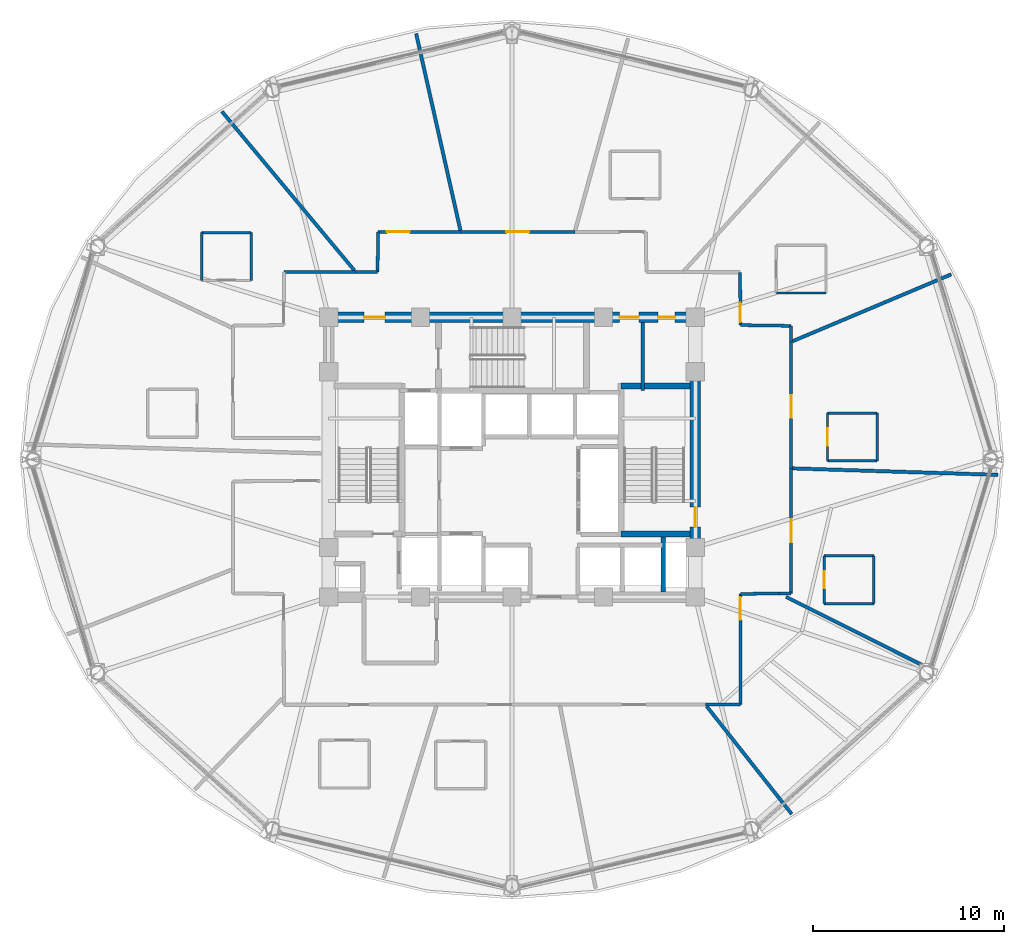
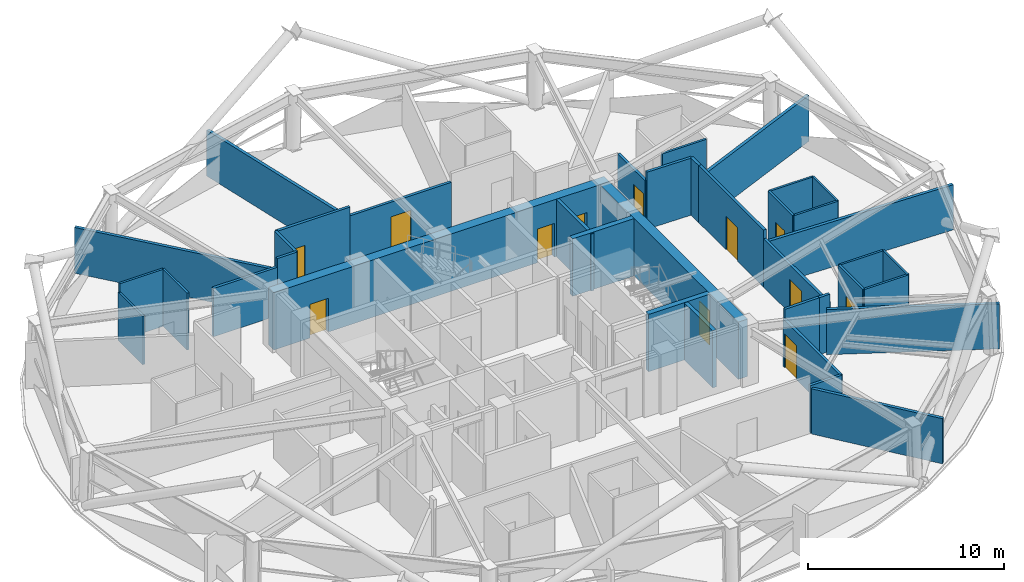
# One storey, part 10 of 15: 38 walls, 12 doors, 12 openings.
"""IFC4 building model written with IfcOpenShell, lengths in metres."""

from ifc_helpers import new_model, si_unit, direction, frame, frame_2d, origin, place, context, subcontext, project, spatial, rectangle, extrude, material, layer, layer_set, type_object, element, fill, save


model = new_model("IFC4")

# Units and contexts
model_context = context("Model", 3, precision=1e-05, world=origin(), true_north=direction((0.0, 1.0)))
body_context = subcontext(model_context, "Body", "Model", "MODEL_VIEW")
ifc_project = project(units=[si_unit("LENGTHUNIT", "METRE"), si_unit("AREAUNIT", "SQUARE_METRE"), si_unit("VOLUMEUNIT", "CUBIC_METRE"), si_unit("PLANEANGLEUNIT", "RADIAN"), si_unit("MASSUNIT", "GRAM", prefix="KILO")], contexts=[model_context])

# Site, building, storey
site_placement = place(None, origin())
site = spatial("IfcSite", under=ifc_project, at=site_placement, CompositionType="ELEMENT")
building_placement = place(site_placement, origin())
building = spatial("IfcBuilding", under=site, at=building_placement, Name="Vantalir Tower", CompositionType="ELEMENT")
storey_placement = place(building_placement, frame((0.0, 0.0, 134.699951171875)))
storey = spatial("IfcBuildingStorey", under=building, at=storey_placement, Name="L33", CompositionType="ELEMENT", Elevation=134.699951171875)

# Walls
ifc_material_1 = material(Name="Moisture-resistant en-suite partition", Category="gypsum")
ifc_layer_1 = layer(ifc_material_1, 0.125)
ifc_layer_set_1 = layer_set([ifc_layer_1], Name="Moisture-resistant en-suite partition")
wall_type_1 = type_object("IfcWallType", Name="WL-BATH-125", PredefinedType="PARTITIONING", material=ifc_layer_set_1)
wall_1_placement = place(storey_placement, frame((45.347900390625, 33.718994140625, 0.0), z_axis=(0.0, 0.0, 1.0), x_axis=(1.0, 0.0, 0.0)))
element("IfcWall", 1, at=wall_1_placement, inside=storey, type_object=wall_type_1, Name="L33 En-suite 01 South Wall", PredefinedType="PARTITIONING", context=body_context, shape_type="SweptSolid", body=[
    extrude(rectangle(XDim=2.60009765625, YDim=0.125, at=frame_2d((1.300048828125, 0.0))), origin(), (0.0, 0.0, 1.0), 3.006103515625),
])
wall_2_placement = place(storey_placement, frame((15.242919921875, 36.87890625, 0.0), z_axis=(0.0, 0.0, 1.0), x_axis=(1.0, 0.0, 0.0)))
element("IfcWall", 2, at=wall_2_placement, inside=storey, type_object=wall_type_1, Name="L33 En-suite 05 North Wall", PredefinedType="PARTITIONING", context=body_context, shape_type="SweptSolid", body=[
    extrude(rectangle(XDim=2.60009765625, YDim=0.125, at=frame_2d((1.300048828125, 0.0))), origin(), (0.0, 0.0, 1.0), 3.550048828125),
])
wall_3_placement = place(storey_placement, frame((15.242919921875, 34.37890625, 0.0), z_axis=(0.0, 0.0, 1.0), x_axis=(0.0, 1.0, 0.0)))
element("IfcWall", 3, at=wall_3_placement, inside=storey, type_object=wall_type_1, Name="L33 En-suite 05 West Wall", PredefinedType="PARTITIONING", context=body_context, shape_type="SweptSolid", body=[
    extrude(rectangle(XDim=2.5, YDim=0.125, at=frame_2d((1.25, 0.0))), origin(), (0.0, 0.0, 1.0), 3.006103515625),
])
wall_4_placement = place(storey_placement, frame((17.843017578125, 34.37890625, 0.0), z_axis=(0.0, 0.0, 1.0), x_axis=(0.0, 1.0, 0.0)))
element("IfcWall", 4, at=wall_4_placement, inside=storey, type_object=wall_type_1, Name="L33 En-suite 05 East Wall", PredefinedType="PARTITIONING", context=body_context, shape_type="SweptSolid", body=[
    extrude(rectangle(XDim=2.5, YDim=0.125, at=frame_2d((1.25, 0.0))), origin(), (0.0, 0.0, 1.0), 3.550048828125),
])
for number, where, z_axis, x_axis, name in (
    (5, (47.84912109375, 17.455078125, 0.0), (0.0, 0.0, 1.0), (1.0, 0.0, 0.0), "L33 En-suite 13 South Wall"),
    (6, (47.84912109375, 19.955078125, 0.0), (0.0, 0.0, 1.0), (1.0, 0.0, 0.0), "L33 En-suite 13 North Wall"),
):
    element("IfcWall", number, at=place(storey_placement, frame(where, z_axis=z_axis, x_axis=x_axis)), inside=storey, type_object=wall_type_1, Name=name, PredefinedType="PARTITIONING", context=body_context, shape_type="SweptSolid", body=[
        extrude(rectangle(XDim=2.599853515625, YDim=0.125, at=frame_2d((1.2998046875, 0.0))), origin(), (0.0, 0.0, 1.0), 3.550048828125),
    ])

# Wall, opening, door
wall_5_placement = place(storey_placement, frame((47.84912109375, 17.455078125, 0.0), z_axis=(0.0, 0.0, 1.0), x_axis=(0.0, 1.0, 0.0)))
wall_5 = element("IfcWall", 7, at=wall_5_placement, inside=storey, type_object=wall_type_1, Name="L33 En-suite 13 West Wall", PredefinedType="PARTITIONING", context=body_context, shape_type="SweptSolid", body=[
    extrude(rectangle(XDim=2.5, YDim=0.125, at=frame_2d((1.25, 0.0))), origin(), (0.0, 0.0, 1.0), 3.550048828125),
])
opening_1_placement = place(wall_5_placement, frame((0.800048828125, 0.0, 0.0)))
opening_1 = element("IfcOpeningElement", 8, at=opening_1_placement, cuts=wall_5, Name="Opening D-WC", PredefinedType="OPENING", context=body_context, shape_type="SweptSolid", body=[
    extrude(rectangle(XDim=0.89990234375, YDim=2.10009765625, at=frame_2d((0.449951171875, 1.050048828125))), frame((0.0, 0.072509765625, 0.0), z_axis=(0.0, -1.0, 0.0), x_axis=(1.0, 0.0, 0.0)), (0.0, 0.0, 1.0), 0.14501953125),
])
ifc_material_2 = material(Name="Moisture-resistant hardwood door", Category="wood")
door_type_1 = type_object("IfcDoorType", Name="DR-ENSUITE-900", OperationType="NOTDEFINED", PredefinedType="DOOR", material=ifc_material_2)
door_1_placement = place(opening_1_placement, frame((0.89990234375, 0.0, 0.0), z_axis=(0.0, 0.0, 1.0), x_axis=(-1.0, 0.0, 0.0)))
door_1 = element("IfcDoor", 9, at=door_1_placement, inside=storey, type_object=door_type_1, Name="L33 En-suite 13 Door", OperationType="SINGLE_SWING_LEFT", OverallHeight=2.10009765625, OverallWidth=0.89990234375, PredefinedType="DOOR", context=body_context, shape_type="SweptSolid", body=[
    extrude(rectangle(XDim=0.89990234375, YDim=2.10009765625, at=frame_2d((0.449951171875, 1.050048828125))), frame((0.0, 0.02490234375, 0.0), z_axis=(0.0, -1.0, 0.0), x_axis=(1.0, 0.0, 0.0)), (0.0, 0.0, 1.0), 0.050048828125),
])
fill(opening_1, door_1)

# Walls
wall_6_placement = place(storey_placement, frame((50.448974609375, 17.455078125, 0.0), z_axis=(0.0, 0.0, 1.0), x_axis=(0.0, 1.0, 0.0)))
element("IfcWall", 10, at=wall_6_placement, inside=storey, type_object=wall_type_1, Name="L33 En-suite 13 East Wall", PredefinedType="PARTITIONING", context=body_context, shape_type="SweptSolid", body=[
    extrude(rectangle(XDim=2.5, YDim=0.125, at=frame_2d((1.25, 0.0))), origin(), (0.0, 0.0, 1.0), 3.550048828125),
])
for number, where, z_axis, x_axis, name in (
    (11, (48.02392578125, 24.927978515625, 0.0), (0.0, 0.0, 1.0), (1.0, 0.0, 0.0), "L33 En-suite 14 South Wall"),
    (12, (48.02392578125, 27.427978515625, 0.0), (0.0, 0.0, 1.0), (1.0, 0.0, 0.0), "L33 En-suite 14 North Wall"),
):
    element("IfcWall", number, at=place(storey_placement, frame(where, z_axis=z_axis, x_axis=x_axis)), inside=storey, type_object=wall_type_1, Name=name, PredefinedType="PARTITIONING", context=body_context, shape_type="SweptSolid", body=[
        extrude(rectangle(XDim=2.60009765625, YDim=0.125, at=frame_2d((1.300048828125, 0.0))), origin(), (0.0, 0.0, 1.0), 3.550048828125),
    ])

# Wall, opening, door
wall_7_placement = place(storey_placement, frame((48.02392578125, 24.927978515625, 0.0), z_axis=(0.0, 0.0, 1.0), x_axis=(0.0, 1.0, 0.0)))
wall_7 = element("IfcWall", 13, at=wall_7_placement, inside=storey, type_object=wall_type_1, Name="L33 En-suite 14 West Wall", PredefinedType="PARTITIONING", context=body_context, shape_type="SweptSolid", body=[
    extrude(rectangle(XDim=2.5, YDim=0.125, at=frame_2d((1.25, 0.0))), origin(), (0.0, 0.0, 1.0), 3.550048828125),
])
opening_2_placement = place(wall_7_placement, frame((0.800048828125, 0.0, 0.0)))
opening_2 = element("IfcOpeningElement", 14, at=opening_2_placement, cuts=wall_7, Name="Opening D-WC", PredefinedType="OPENING", context=body_context, shape_type="SweptSolid", body=[
    extrude(rectangle(XDim=0.89990234375, YDim=2.10009765625, at=frame_2d((0.449951171875, 1.050048828125))), frame((0.0, 0.072509765625, 0.0), z_axis=(0.0, -1.0, 0.0), x_axis=(1.0, 0.0, 0.0)), (0.0, 0.0, 1.0), 0.14501953125),
])
door_2_placement = place(opening_2_placement, frame((0.89990234375, 0.0, 0.0), z_axis=(0.0, 0.0, 1.0), x_axis=(-1.0, 0.0, 0.0)))
door_2 = element("IfcDoor", 15, at=door_2_placement, inside=storey, type_object=door_type_1, Name="L33 En-suite 14 Door", OperationType="SINGLE_SWING_RIGHT", OverallHeight=2.10009765625, OverallWidth=0.89990234375, PredefinedType="DOOR", context=body_context, shape_type="SweptSolid", body=[
    extrude(rectangle(XDim=0.89990234375, YDim=2.10009765625, at=frame_2d((0.449951171875, 1.050048828125))), frame((0.0, 0.02490234375, 0.0), z_axis=(0.0, -1.0, 0.0), x_axis=(1.0, 0.0, 0.0)), (0.0, 0.0, 1.0), 0.050048828125),
])
fill(opening_2, door_2)

# Wall
wall_8_placement = place(storey_placement, frame((50.6240234375, 24.927978515625, 0.0), z_axis=(0.0, 0.0, 1.0), x_axis=(0.0, 1.0, 0.0)))
element("IfcWall", 16, at=wall_8_placement, inside=storey, type_object=wall_type_1, Name="L33 En-suite 14 East Wall", PredefinedType="PARTITIONING", context=body_context, shape_type="SweptSolid", body=[
    extrude(rectangle(XDim=2.5, YDim=0.125, at=frame_2d((1.25, 0.0))), origin(), (0.0, 0.0, 1.0), 3.550048828125),
])

# Wall, openings, doors
ifc_material_3 = material(Name="Concrete C60/75", Category="concrete")
ifc_layer_2 = layer(ifc_material_3, 0.550048828125)
ifc_layer_set_2 = layer_set([ifc_layer_2], Name="Concrete C60/75")
wall_type_2 = type_object("IfcWallType", Name="WL-CORE-550", PredefinedType="SHEAR", material=ifc_layer_set_2)
wall_9_placement = place(storey_placement, frame((21.625, 32.449951171875, 0.0), z_axis=(0.0, 0.0, 1.0), x_axis=(1.0, 0.0, 0.0)))
wall_9 = element("IfcWall", 17, at=wall_9_placement, inside=storey, type_object=wall_type_2, Name="L33 Core Shear Wall North", PredefinedType="SHEAR", context=body_context, shape_type="SweptSolid", body=[
    extrude(rectangle(XDim=19.75, YDim=0.550048828125, at=frame_2d((9.875, 0.0))), origin(), (0.0, 0.0, 1.0), 3.570068359375),
])
opening_3_placement = place(wall_9_placement, frame((2.125, 0.0, 0.0)))
opening_3 = element("IfcOpeningElement", 18, at=opening_3_placement, cuts=wall_9, Name="Opening D-FFL", PredefinedType="OPENING", context=body_context, shape_type="SweptSolid", body=[
    extrude(rectangle(XDim=1.10009765625, YDim=2.10009765625, at=frame_2d((0.550048828125, 1.050048828125))), frame((0.0, 0.284912109375, 0.0), z_axis=(0.0, -1.0, 0.0), x_axis=(1.0, 0.0, 0.0)), (0.0, 0.0, 1.0), 0.570068359375),
])
opening_4_placement = place(wall_9_placement, frame((15.514892578125, 0.0, 0.0)))
opening_4 = element("IfcOpeningElement", 19, at=opening_4_placement, cuts=wall_9, Name="Opening D-GUEST", PredefinedType="OPENING", context=body_context, shape_type="SweptSolid", body=[
    extrude(rectangle(XDim=1.0, YDim=2.10009765625, at=frame_2d((0.5, 1.050048828125))), frame((0.0, 0.284912109375, 0.0), z_axis=(0.0, -1.0, 0.0), x_axis=(1.0, 0.0, 0.0)), (0.0, 0.0, 1.0), 0.570068359375),
])
opening_5_placement = place(wall_9_placement, frame((17.52490234375, 0.0, 0.0)))
opening_5 = element("IfcOpeningElement", 20, at=opening_5_placement, cuts=wall_9, Name="Opening D-CR", PredefinedType="OPENING", context=body_context, shape_type="SweptSolid", body=[
    extrude(rectangle(XDim=0.89990234375, YDim=2.10009765625, at=frame_2d((0.449951171875, 1.050048828125))), frame((0.0, 0.284912109375, 0.0), z_axis=(0.0, -1.0, 0.0), x_axis=(1.0, 0.0, 0.0)), (0.0, 0.0, 1.0), 0.570068359375),
])
ifc_material_4 = material(Name="Fire-rated steel core service door", Category="steel")
door_type_2 = type_object("IfcDoorType", Name="DR-CORE-SERV-900", OperationType="NOTDEFINED", PredefinedType="DOOR", material=ifc_material_4)
door_3_placement = place(opening_5_placement, frame((0.89990234375, 0.0, 0.0), z_axis=(0.0, 0.0, 1.0), x_axis=(-1.0, 0.0, 0.0)))
door_3 = element("IfcDoor", 21, at=door_3_placement, inside=storey, type_object=door_type_2, Name="L33 Housekeeping and Linen Room Door", OperationType="SINGLE_SWING_RIGHT", OverallHeight=2.10009765625, OverallWidth=0.89990234375, PredefinedType="DOOR", context=body_context, shape_type="SweptSolid", body=[
    extrude(rectangle(XDim=0.89990234375, YDim=2.10009765625, at=frame_2d((0.449951171875, 1.050048828125))), frame((0.0, 0.02490234375, 0.0), z_axis=(0.0, -1.0, 0.0), x_axis=(1.0, 0.0, 0.0)), (0.0, 0.0, 1.0), 0.050048828125),
])
fill(opening_5, door_3)
ifc_material_5 = material(Name="Fire-rated acoustic steel door", Category="steel")
door_type_3 = type_object("IfcDoorType", Name="DR-FIRE-LOBBY-1100", OperationType="NOTDEFINED", PredefinedType="DOOR", material=ifc_material_5)
door_4_placement = place(opening_3_placement, frame((1.10009765625, 0.0, 0.0), z_axis=(0.0, 0.0, 1.0), x_axis=(-1.0, 0.0, 0.0)))
door_4 = element("IfcDoor", 22, at=door_4_placement, inside=storey, type_object=door_type_3, Name="L33 Firefighting Lobby East Access Door", OperationType="SINGLE_SWING_LEFT", OverallHeight=2.10009765625, OverallWidth=1.10009765625, PredefinedType="DOOR", context=body_context, shape_type="SweptSolid", body=[
    extrude(rectangle(XDim=1.10009765625, YDim=2.10009765625, at=frame_2d((0.550048828125, 1.050048828125))), frame((0.0, 0.02490234375, 0.0), z_axis=(0.0, -1.0, 0.0), x_axis=(1.0, 0.0, 0.0)), (0.0, 0.0, 1.0), 0.050048828125),
])
fill(opening_3, door_4)
ifc_material_6 = material(Name="Solid-core teak veneer acoustic fire door", Category="wood")
door_type_4 = type_object("IfcDoorType", Name="DR-GUEST-ENTRY-1000", OperationType="NOTDEFINED", PredefinedType="DOOR", material=ifc_material_6)
door_5_placement = place(opening_4_placement, frame((1.0, 0.0, 0.0), z_axis=(0.0, 0.0, 1.0), x_axis=(-1.0, 0.0, 0.0)))
door_5 = element("IfcDoor", 23, at=door_5_placement, inside=storey, type_object=door_type_4, Name="L33 High-Rise Lift Lobby Door", OperationType="SINGLE_SWING_LEFT", OverallHeight=2.10009765625, OverallWidth=1.0, PredefinedType="DOOR", context=body_context, shape_type="SweptSolid", body=[
    extrude(rectangle(XDim=1.0, YDim=2.10009765625, at=frame_2d((0.5, 1.050048828125))), frame((0.0, 0.02490234375, 0.0), z_axis=(0.0, -1.0, 0.0), x_axis=(1.0, 0.0, 0.0)), (0.0, 0.0, 1.0), 0.050048828125),
])
fill(opening_4, door_5)

# Wall, opening, door
wall_10_placement = place(storey_placement, frame((41.10009765625, 18.074951171875, 0.0), z_axis=(0.0, 0.0, 1.0), x_axis=(0.0, 1.0, 0.0)))
wall_10 = element("IfcWall", 24, at=wall_10_placement, inside=storey, type_object=wall_type_2, Name="L33 Core Shear Wall East", PredefinedType="SHEAR", context=body_context, shape_type="SweptSolid", body=[
    extrude(rectangle(XDim=14.10009765625, YDim=0.550048828125, at=frame_2d((7.050048828125, 0.0))), origin(), (0.0, 0.0, 1.0), 3.570068359375),
])
opening_6_placement = place(wall_10_placement, frame((3.385009765625, 0.0, 0.0)))
opening_6 = element("IfcOpeningElement", 25, at=opening_6_placement, cuts=wall_10, Name="Opening D-ST", PredefinedType="OPENING", context=body_context, shape_type="SweptSolid", body=[
    extrude(rectangle(XDim=1.050048828125, YDim=2.10009765625, at=frame_2d((0.52490234375, 1.050048828125))), frame((0.0, 0.284912109375, 0.0), z_axis=(0.0, -1.0, 0.0), x_axis=(1.0, 0.0, 0.0)), (0.0, 0.0, 1.0), 0.570068359375),
])
ifc_material_7 = material(Name="Fire-rated steel door leaf", Category="steel")
door_type_5 = type_object("IfcDoorType", Name="DR-FIRE-STAIR-1050", OperationType="NOTDEFINED", PredefinedType="DOOR", material=ifc_material_7)
door_6_placement = place(opening_6_placement, origin())
door_6 = element("IfcDoor", 26, at=door_6_placement, inside=storey, type_object=door_type_5, Name="L33 Exit Stair ST2 Fire Door", OperationType="SINGLE_SWING_LEFT", OverallHeight=2.10009765625, OverallWidth=1.050048828125, PredefinedType="DOOR", context=body_context, shape_type="SweptSolid", body=[
    extrude(rectangle(XDim=1.050048828125, YDim=2.10009765625, at=frame_2d((0.52490234375, 1.050048828125))), frame((0.0, 0.02490234375, 0.0), z_axis=(0.0, -1.0, 0.0), x_axis=(1.0, 0.0, 0.0)), (0.0, 0.0, 1.0), 0.050048828125),
])
fill(opening_6, door_6)

# Walls
ifc_material_8 = material(Name="Fire-rated hotel corridor acoustic partition", Category="gypsum")
ifc_layer_3 = layer(ifc_material_8, 0.159912109375)
ifc_layer_set_3 = layer_set([ifc_layer_3], Name="Fire-rated hotel corridor acoustic partition")
wall_type_3 = type_object("IfcWallType", Name="WL-CORR-160", PredefinedType="PARTITIONING", material=ifc_layer_set_3)
wall_11_placement = place(storey_placement, frame((19.56005859375, 34.81201171875, 0.0), z_axis=(0.0, 0.0, 1.0), x_axis=(0.999999865088, 0.000519446719, 0.0)))
element("IfcWall", 27, at=wall_11_placement, inside=storey, type_object=wall_type_3, Name="L33 Corridor Partition 05", PredefinedType="PARTITIONING", context=body_context, shape_type="SweptSolid", body=[
    extrude(rectangle(XDim=3.760009765625, YDim=0.159912109375, at=frame_2d((1.8798828125, 0.0))), origin(), (0.0, 0.0, 1.0), 3.006103515625),
])
wall_12_placement = place(storey_placement, frame((23.320068359375, 34.81396484375, 0.0), z_axis=(0.0, 0.0, 1.0), x_axis=(0.99999963302, 0.000856714185, 0.0)))
element("IfcWall", 28, at=wall_12_placement, inside=storey, type_object=wall_type_3, Name="L33 Corridor Partition 06", PredefinedType="PARTITIONING", context=body_context, shape_type="SweptSolid", body=[
    extrude(rectangle(XDim=1.139892578125, YDim=0.159912109375, at=frame_2d((0.56982421875, 0.0))), origin(), (0.0, 0.0, 1.0), 3.550048828125),
])
wall_13_placement = place(storey_placement, frame((24.4599609375, 34.81494140625, 0.0), z_axis=(0.0, 0.0, 1.0), x_axis=(0.011921828921, 0.999928932472, 0.0)))
element("IfcWall", 29, at=wall_13_placement, inside=storey, type_object=wall_type_3, Name="L33 Corridor Partition 07", PredefinedType="PARTITIONING", context=body_context, shape_type="SweptSolid", body=[
    extrude(rectangle(XDim=2.109375, YDim=0.159912109375, at=frame_2d((1.0546875, 0.0))), origin(), (0.0, 0.0, 1.0), 3.550048828125),
])

# Wall, opening, door
wall_14_placement = place(storey_placement, frame((24.485107421875, 36.924072265625, 0.0), z_axis=(0.0, 0.0, 1.0), x_axis=(0.999999974588, 0.000225441013, 0.0)))
wall_14 = element("IfcWall", 30, at=wall_14_placement, inside=storey, type_object=wall_type_3, Name="L33 Corridor Partition 08", PredefinedType="PARTITIONING", context=body_context, shape_type="SweptSolid", body=[
    extrude(rectangle(XDim=4.331787109375, YDim=0.159912109375, at=frame_2d((2.166015625, 0.0))), origin(), (0.0, 0.0, 1.0), 3.550048828125),
])
opening_7_placement = place(wall_14_placement, frame((0.4560546875, 0.0, 0.0)))
opening_7 = element("IfcOpeningElement", 31, at=opening_7_placement, cuts=wall_14, Name="Opening D-STE", PredefinedType="OPENING", context=body_context, shape_type="SweptSolid", body=[
    extrude(rectangle(XDim=1.199951171875, YDim=2.10009765625, at=frame_2d((0.60009765625, 1.050048828125))), frame((0.0, 0.08984375, 0.0), z_axis=(0.0, -1.0, 0.0), x_axis=(1.0, 0.0, 0.0)), (0.0, 0.0, 1.0), 0.179931640625),
])
ifc_material_9 = material(Name="Solid-core teak veneer suite entrance door", Category="wood")
door_type_6 = type_object("IfcDoorType", Name="DR-SUITE-ENTRY-1200", OperationType="NOTDEFINED", PredefinedType="DOOR", material=ifc_material_9)
door_7_placement = place(opening_7_placement, origin())
door_7 = element("IfcDoor", 32, at=door_7_placement, inside=storey, type_object=door_type_6, Name="L33 Executive Sky Boardroom 04 Door", OperationType="SINGLE_SWING_LEFT", OverallHeight=2.10009765625, OverallWidth=1.199951171875, PredefinedType="DOOR", context=body_context, shape_type="SweptSolid", body=[
    extrude(rectangle(XDim=1.199951171875, YDim=2.10009765625, at=frame_2d((0.60009765625, 1.050048828125))), frame((0.0, 0.02490234375, 0.0), z_axis=(0.0, -1.0, 0.0), x_axis=(1.0, 0.0, 0.0)), (0.0, 0.0, 1.0), 0.050048828125),
])
fill(opening_7, door_7)

wall_15_placement = place(storey_placement, frame((28.81689453125, 36.925048828125, 0.0), z_axis=(0.0, 0.0, 1.0), x_axis=(0.999999946523, 0.000327037837, 0.0)))
wall_15 = element("IfcWall", 33, at=wall_15_placement, inside=storey, type_object=wall_type_3, Name="L33 Corridor Partition 09", PredefinedType="PARTITIONING", context=body_context, shape_type="SweptSolid", body=[
    extrude(rectangle(XDim=5.97216796875, YDim=0.159912109375, at=frame_2d((2.986083984375, 0.0))), origin(), (0.0, 0.0, 1.0), 3.006103515625),
])
opening_8_placement = place(wall_15_placement, frame((2.385986328125, 0.0, 0.0)))
opening_8 = element("IfcOpeningElement", 34, at=opening_8_placement, cuts=wall_15, Name="Opening D-STE", PredefinedType="OPENING", context=body_context, shape_type="SweptSolid", body=[
    extrude(rectangle(XDim=1.199951171875, YDim=2.10009765625, at=frame_2d((0.60009765625, 1.050048828125))), frame((0.0, 0.08984375, 0.0), z_axis=(0.0, -1.0, 0.0), x_axis=(1.0, 0.0, 0.0)), (0.0, 0.0, 1.0), 0.179931640625),
])
door_8_placement = place(opening_8_placement, origin())
door_8 = element("IfcDoor", 35, at=door_8_placement, inside=storey, type_object=door_type_6, Name="L33 Executive Sky Boardroom 03 Door", OperationType="SINGLE_SWING_RIGHT", OverallHeight=2.10009765625, OverallWidth=1.199951171875, PredefinedType="DOOR", context=body_context, shape_type="SweptSolid", body=[
    extrude(rectangle(XDim=1.199951171875, YDim=2.10009765625, at=frame_2d((0.60009765625, 1.050048828125))), frame((0.0, 0.02490234375, 0.0), z_axis=(0.0, -1.0, 0.0), x_axis=(1.0, 0.0, 0.0)), (0.0, 0.0, 1.0), 0.050048828125),
])
fill(opening_8, door_8)

wall_16_placement = place(storey_placement, frame((43.447021484375, 34.80810546875, 0.0), z_axis=(0.0, 0.0, 1.0), x_axis=(0.006526585281, -0.999978701615, 0.0)))
wall_16 = element("IfcWall", 36, at=wall_16_placement, inside=storey, type_object=wall_type_3, Name="L33 Corridor Partition 14", PredefinedType="PARTITIONING", context=body_context, shape_type="SweptSolid", body=[
    extrude(rectangle(XDim=2.76806640625, YDim=0.159912109375, at=frame_2d((1.384033203125, 0.0))), origin(), (0.0, 0.0, 1.0), 3.006103515625),
])
opening_9_placement = place(wall_16_placement, frame((1.60791015625, 0.0, 0.0)))
opening_9 = element("IfcOpeningElement", 37, at=opening_9_placement, cuts=wall_16, Name="Opening D-GUEST", PredefinedType="OPENING", context=body_context, shape_type="SweptSolid", body=[
    extrude(rectangle(XDim=1.0, YDim=2.10009765625, at=frame_2d((0.5, 1.050048828125))), frame((0.0, 0.08984375, 0.0), z_axis=(0.0, -1.0, 0.0), x_axis=(1.0, 0.0, 0.0)), (0.0, 0.0, 1.0), 0.179931640625),
])
door_9_placement = place(opening_9_placement, origin())
door_9 = element("IfcDoor", 38, at=door_9_placement, inside=storey, type_object=door_type_4, Name="L33 Twin Queen Hotel Room 01 Door", OperationType="SINGLE_SWING_RIGHT", OverallHeight=2.10009765625, OverallWidth=1.0, PredefinedType="DOOR", context=body_context, shape_type="SweptSolid", body=[
    extrude(rectangle(XDim=1.0, YDim=2.10009765625, at=frame_2d((0.5, 1.050048828125))), frame((0.0, 0.02490234375, 0.0), z_axis=(0.0, -1.0, 0.0), x_axis=(1.0, 0.0, 0.0)), (0.0, 0.0, 1.0), 0.050048828125),
])
fill(opening_9, door_9)

# Walls
wall_17_placement = place(storey_placement, frame((43.465087890625, 32.0400390625, 0.0), z_axis=(0.0, 0.0, 1.0), x_axis=(0.999886309258, -0.015078745261, 0.0)))
element("IfcWall", 39, at=wall_17_placement, inside=storey, type_object=wall_type_3, Name="L33 Corridor Partition 15", PredefinedType="PARTITIONING", context=body_context, shape_type="SweptSolid", body=[
    extrude(rectangle(XDim=2.6552734375, YDim=0.159912109375, at=frame_2d((1.32763671875, 0.0))), origin(), (0.0, 0.0, 1.0), 3.550048828125),
])
wall_18_placement = place(storey_placement, frame((46.1201171875, 32.0, 0.0), z_axis=(0.0, 0.0, 1.0), x_axis=(0.0, -1.0, 0.0)))
element("IfcWall", 40, at=wall_18_placement, inside=storey, type_object=wall_type_3, Name="L33 Corridor Partition 16", PredefinedType="PARTITIONING", context=body_context, shape_type="SweptSolid", body=[
    extrude(rectangle(XDim=0.8359375, YDim=0.159912109375, at=frame_2d((0.41796875, 0.0))), origin(), (0.0, 0.0, 1.0), 3.550048828125),
])

# Wall, opening, door
wall_19_placement = place(storey_placement, frame((46.1201171875, 31.1640625, 0.0), z_axis=(0.0, 0.0, 1.0), x_axis=(0.0, -1.0, 0.0)))
wall_19 = element("IfcWall", 41, at=wall_19_placement, inside=storey, type_object=wall_type_3, Name="L33 Corridor Partition 17", PredefinedType="PARTITIONING", context=body_context, shape_type="SweptSolid", body=[
    extrude(rectangle(XDim=6.6259765625, YDim=0.159912109375, at=frame_2d((3.31298828125, 0.0))), origin(), (0.0, 0.0, 1.0), 3.550048828125),
])
opening_10_placement = place(wall_19_placement, frame((2.785888671875, 0.0, 0.0)))
opening_10 = element("IfcOpeningElement", 42, at=opening_10_placement, cuts=wall_19, Name="Opening D-STE", PredefinedType="OPENING", context=body_context, shape_type="SweptSolid", body=[
    extrude(rectangle(XDim=1.199951171875, YDim=2.10009765625, at=frame_2d((0.60009765625, 1.050048828125))), frame((0.0, 0.08984375, 0.0), z_axis=(0.0, -1.0, 0.0), x_axis=(1.0, 0.0, 0.0)), (0.0, 0.0, 1.0), 0.179931640625),
])
door_10_placement = place(opening_10_placement, origin())
door_10 = element("IfcDoor", 43, at=door_10_placement, inside=storey, type_object=door_type_6, Name="L33 Corner Panorama Hotel Suite 14 Door", OperationType="SINGLE_SWING_LEFT", OverallHeight=2.10009765625, OverallWidth=1.199951171875, PredefinedType="DOOR", context=body_context, shape_type="SweptSolid", body=[
    extrude(rectangle(XDim=1.199951171875, YDim=2.10009765625, at=frame_2d((0.60009765625, 1.050048828125))), frame((0.0, 0.02490234375, 0.0), z_axis=(0.0, -1.0, 0.0), x_axis=(1.0, 0.0, 0.0)), (0.0, 0.0, 1.0), 0.050048828125),
])
fill(opening_10, door_10)

wall_20_placement = place(storey_placement, frame((46.1201171875, 24.5380859375, 0.0), z_axis=(0.0, 0.0, 1.0), x_axis=(0.0, -1.0, 0.0)))
wall_20 = element("IfcWall", 44, at=wall_20_placement, inside=storey, type_object=wall_type_3, Name="L33 Corridor Partition 18", PredefinedType="PARTITIONING", context=body_context, shape_type="SweptSolid", body=[
    extrude(rectangle(XDim=6.5419921875, YDim=0.159912109375, at=frame_2d((3.27099609375, 0.0))), origin(), (0.0, 0.0, 1.0), 3.006103515625),
])
opening_11_placement = place(wall_20_placement, frame((2.6708984375, 0.0, 0.0)))
opening_11 = element("IfcOpeningElement", 45, at=opening_11_placement, cuts=wall_20, Name="Opening D-STE", PredefinedType="OPENING", context=body_context, shape_type="SweptSolid", body=[
    extrude(rectangle(XDim=1.199951171875, YDim=2.10009765625, at=frame_2d((0.60009765625, 1.050048828125))), frame((0.0, 0.08984375, 0.0), z_axis=(0.0, -1.0, 0.0), x_axis=(1.0, 0.0, 0.0)), (0.0, 0.0, 1.0), 0.179931640625),
])
door_11_placement = place(opening_11_placement, origin())
door_11 = element("IfcDoor", 46, at=door_11_placement, inside=storey, type_object=door_type_6, Name="L33 Corner Panorama Hotel Suite 13 Door", OperationType="SINGLE_SWING_RIGHT", OverallHeight=2.10009765625, OverallWidth=1.199951171875, PredefinedType="DOOR", context=body_context, shape_type="SweptSolid", body=[
    extrude(rectangle(XDim=1.199951171875, YDim=2.10009765625, at=frame_2d((0.60009765625, 1.050048828125))), frame((0.0, 0.02490234375, 0.0), z_axis=(0.0, -1.0, 0.0), x_axis=(1.0, 0.0, 0.0)), (0.0, 0.0, 1.0), 0.050048828125),
])
fill(opening_11, door_11)

# Walls
wall_21_placement = place(storey_placement, frame((46.1201171875, 17.99609375, 0.0), z_axis=(0.0, 0.0, 1.0), x_axis=(-0.999917249765, -0.012864432453, 0.0)))
element("IfcWall", 47, at=wall_21_placement, inside=storey, type_object=wall_type_3, Name="L33 Corridor Partition 19", PredefinedType="PARTITIONING", context=body_context, shape_type="SweptSolid", body=[
    extrude(rectangle(XDim=0.626220703125, YDim=0.159912109375, at=frame_2d((0.31298828125, 0.0))), origin(), (0.0, 0.0, 1.0), 3.550048828125),
])
wall_22_placement = place(storey_placement, frame((45.493896484375, 17.988037109375, 0.0), z_axis=(0.0, 0.0, 1.0), x_axis=(-0.999904258272, -0.01383742355, 0.0)))
element("IfcWall", 48, at=wall_22_placement, inside=storey, type_object=wall_type_3, Name="L33 Corridor Partition 20", PredefinedType="PARTITIONING", context=body_context, shape_type="SweptSolid", body=[
    extrude(rectangle(XDim=2.029052734375, YDim=0.159912109375, at=frame_2d((1.0146484375, 0.0))), origin(), (0.0, 0.0, 1.0), 3.550048828125),
])

# Wall, opening, door
wall_23_placement = place(storey_placement, frame((43.465087890625, 17.9599609375, 0.0), z_axis=(0.0, 0.0, 1.0), x_axis=(-0.001222389915, -0.999999252881, 0.0)))
wall_23 = element("IfcWall", 49, at=wall_23_placement, inside=storey, type_object=wall_type_3, Name="L33 Corridor Partition 21", PredefinedType="PARTITIONING", context=body_context, shape_type="SweptSolid", body=[
    extrude(rectangle(XDim=5.7919921875, YDim=0.159912109375, at=frame_2d((2.89599609375, 0.0))), origin(), (0.0, 0.0, 1.0), 2.966064453125),
])
opening_12_placement = place(wall_23_placement, frame((0.159912109375, 0.0, 0.0)))
opening_12 = element("IfcOpeningElement", 50, at=opening_12_placement, cuts=wall_23, Name="Opening D-STE", PredefinedType="OPENING", context=body_context, shape_type="SweptSolid", body=[
    extrude(rectangle(XDim=1.199951171875, YDim=2.10009765625, at=frame_2d((0.60009765625, 1.050048828125))), frame((0.0, 0.08984375, 0.0), z_axis=(0.0, -1.0, 0.0), x_axis=(1.0, 0.0, 0.0)), (0.0, 0.0, 1.0), 0.179931640625),
])
door_12_placement = place(opening_12_placement, origin())
door_12 = element("IfcDoor", 51, at=door_12_placement, inside=storey, type_object=door_type_6, Name="L33 Executive Sky Boardroom 12 Door", OperationType="SINGLE_SWING_LEFT", OverallHeight=2.10009765625, OverallWidth=1.199951171875, PredefinedType="DOOR", context=body_context, shape_type="SweptSolid", body=[
    extrude(rectangle(XDim=1.199951171875, YDim=2.10009765625, at=frame_2d((0.60009765625, 1.050048828125))), frame((0.0, 0.02490234375, 0.0), z_axis=(0.0, -1.0, 0.0), x_axis=(1.0, 0.0, 0.0)), (0.0, 0.0, 1.0), 0.050048828125),
])
fill(opening_12, door_12)

# Walls
wall_24_placement = place(storey_placement, frame((43.4580078125, 12.16796875, 0.0), z_axis=(0.0, 0.0, 1.0), x_axis=(-0.999999858081, -0.000532764975, 0.0)))
element("IfcWall", 52, at=wall_24_placement, inside=storey, type_object=wall_type_3, Name="L33 Corridor Partition 22", PredefinedType="PARTITIONING", context=body_context, shape_type="SweptSolid", body=[
    extrude(rectangle(XDim=1.8330078125, YDim=0.159912109375, at=frame_2d((0.91650390625, 0.0))), origin(), (0.0, 0.0, 1.0), 2.966064453125),
])
ifc_material_10 = material(Name="Concrete blockwork with fireboard lining", Category="masonry")
ifc_layer_4 = layer(ifc_material_10, 0.219970703125)
ifc_layer_set_4 = layer_set([ifc_layer_4], Name="Concrete blockwork with fireboard lining")
wall_type_4 = type_object("IfcWallType", Name="WL-FFL-220", PredefinedType="PARTITIONING", material=ifc_layer_set_4)
wall_25_placement = place(storey_placement, frame((39.419921875, 18.074951171875, 0.0), z_axis=(0.0, 0.0, 1.0), x_axis=(0.0, 1.0, 0.0)))
element("IfcWall", 53, at=wall_25_placement, inside=storey, type_object=wall_type_4, Name="L33 East MEP Riser Wall W", PredefinedType="PARTITIONING", context=body_context, shape_type="SweptSolid", body=[
    extrude(rectangle(XDim=2.875, YDim=0.219970703125, at=frame_2d((1.4375, 0.0))), origin(), (0.0, 0.0, 1.0), 3.550048828125),
])
ifc_material_11 = material(Name="Twin-stud acoustic fire-rated gypsum partition", Category="gypsum")
ifc_layer_5 = layer(ifc_material_11, 0.179931640625)
ifc_layer_set_5 = layer_set([ifc_layer_5], Name="Twin-stud acoustic fire-rated gypsum partition")
wall_type_5 = type_object("IfcWallType", Name="WL-GUEST-180", PredefinedType="PARTITIONING", material=ifc_layer_set_5)
wall_26_placement = place(storey_placement, frame((38.340087890625, 28.6201171875, 0.0), z_axis=(0.0, 0.0, 1.0), x_axis=(0.0, 1.0, 0.0)))
element("IfcWall", 54, at=wall_26_placement, inside=storey, type_object=wall_type_5, Name="L33 High-Rise Lift Lobby East Wall", PredefinedType="PARTITIONING", context=body_context, shape_type="SweptSolid", body=[
    extrude(rectangle(XDim=3.554931640625, YDim=0.179931640625, at=frame_2d((1.77734375, 0.0))), origin(), (0.0, 0.0, 1.0), 3.550048828125),
])
wall_27_placement = place(storey_placement, frame((46.195068359375, 31.195068359375, 0.0), z_axis=(0.0, 0.0, 1.0), x_axis=(0.921433509602, 0.388536082472, 0.0)))
element("IfcWall", 55, at=wall_27_placement, inside=storey, type_object=wall_type_5, Name="L33 Radial Suite Partition 01", PredefinedType="PARTITIONING", context=body_context, shape_type="SweptSolid", body=[
    extrude(rectangle(XDim=9.020751953125, YDim=0.179931640625, at=frame_2d((4.51025390625, 0.0))), origin(), (0.0, 0.0, 1.0), 2.85205078125),
])
wall_28_placement = place(storey_placement, frame((28.799072265625, 37.0029296875, 0.0), z_axis=(0.0, 0.0, 1.0), x_axis=(-0.219530892815, 0.975605548928, 0.0)))
element("IfcWall", 56, at=wall_28_placement, inside=storey, type_object=wall_type_5, Name="L33 Radial Suite Partition 04", PredefinedType="PARTITIONING", context=body_context, shape_type="SweptSolid", body=[
    extrude(rectangle(XDim=10.56396484375, YDim=0.179931640625, at=frame_2d((5.281982421875, 0.0))), origin(), (0.0, 0.0, 1.0), 2.85205078125),
])
wall_29_placement = place(storey_placement, frame((23.257080078125, 34.889892578125, 0.0), z_axis=(0.0, 0.0, 1.0), x_axis=(-0.640323770466, 0.768105115837, 0.0)))
element("IfcWall", 57, at=wall_29_placement, inside=storey, type_object=wall_type_5, Name="L33 Radial Suite Partition 05", PredefinedType="PARTITIONING", context=body_context, shape_type="SweptSolid", body=[
    extrude(rectangle(XDim=10.854248046875, YDim=0.179931640625, at=frame_2d((5.42724609375, 0.0))), origin(), (0.0, 0.0, 1.0), 2.85205078125),
])
wall_30_placement = place(storey_placement, frame((41.697021484375, 12.074951171875, 0.0), z_axis=(0.0, 0.0, 1.0), x_axis=(0.619374434799, -0.785095732709, 0.0)))
element("IfcWall", 58, at=wall_30_placement, inside=storey, type_object=wall_type_5, Name="L33 Radial Suite Partition 12", PredefinedType="PARTITIONING", context=body_context, shape_type="SweptSolid", body=[
    extrude(rectangle(XDim=7.187744140625, YDim=0.179931640625, at=frame_2d((3.59375, 0.0))), origin(), (0.0, 0.0, 1.0), 2.81201171875),
])
wall_31_placement = place(storey_placement, frame((45.85302734375, 17.80810546875, 0.0), z_axis=(0.0, 0.0, 1.0), x_axis=(0.893995614381, -0.448075709526, 0.0)))
element("IfcWall", 59, at=wall_31_placement, inside=storey, type_object=wall_type_5, Name="L33 Radial Suite Partition 13", PredefinedType="PARTITIONING", context=body_context, shape_type="SweptSolid", body=[
    extrude(rectangle(XDim=8.833251953125, YDim=0.179931640625, at=frame_2d((4.41650390625, 0.0))), origin(), (0.0, 0.0, 1.0), 2.81201171875),
])
wall_32_placement = place(storey_placement, frame((46.195068359375, 24.535888671875, 0.0), z_axis=(0.0, 0.0, 1.0), x_axis=(0.999502434648, -0.031541768058, 0.0)))
element("IfcWall", 60, at=wall_32_placement, inside=storey, type_object=wall_type_5, Name="L33 Radial Suite Partition 14", PredefinedType="PARTITIONING", context=body_context, shape_type="SweptSolid", body=[
    extrude(rectangle(XDim=10.7744140625, YDim=0.179931640625, at=frame_2d((5.38720703125, 0.0))), origin(), (0.0, 0.0, 1.0), 2.81201171875),
])
ifc_material_12 = material(Name="Concrete C50/60", Category="concrete")
ifc_layer_6 = layer(ifc_material_12, 0.300048828125)
ifc_layer_set_6 = layer_set([ifc_layer_6], Name="Concrete C50/60")
wall_type_6 = type_object("IfcWallType", Name="WL-STAIR-300", PredefinedType="SHEAR", material=ifc_layer_set_6)
for number, where, z_axis, x_axis, name in (
    (61, (37.2099609375, 21.10009765625, 0.0), (0.0, 0.0, 1.0), (1.0, 0.0, 0.0), "L33 Stair ST2 South Wall"),
    (62, (37.2099609375, 28.85009765625, 0.0), (0.0, 0.0, 1.0), (1.0, 0.0, 0.0), "L33 Stair ST2 North Wall"),
):
    element("IfcWall", number, at=place(storey_placement, frame(where, z_axis=z_axis, x_axis=x_axis)), inside=storey, type_object=wall_type_6, Name=name, PredefinedType="SHEAR", context=body_context, shape_type="SweptSolid", body=[
        extrude(rectangle(XDim=3.614990234375, YDim=0.300048828125, at=frame_2d((1.8076171875, 0.0))), origin(), (0.0, 0.0, 1.0), 3.570068359375),
    ])

save(model, "model.ifc")
